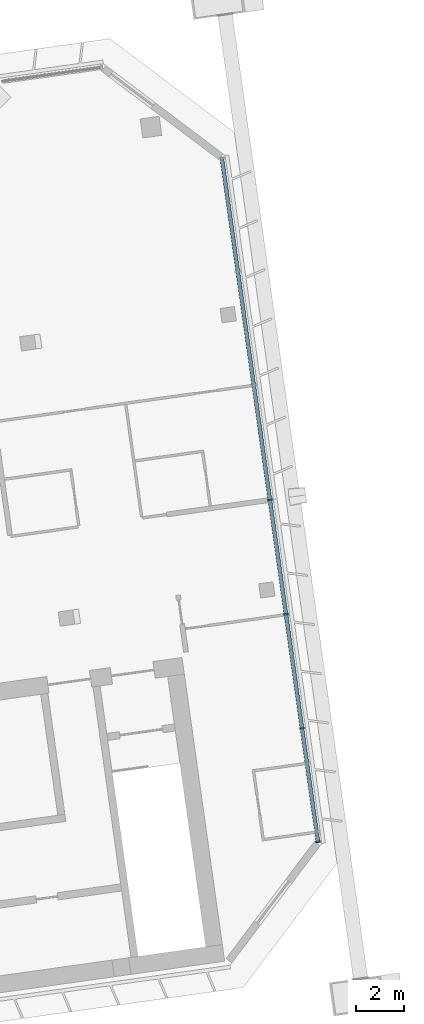
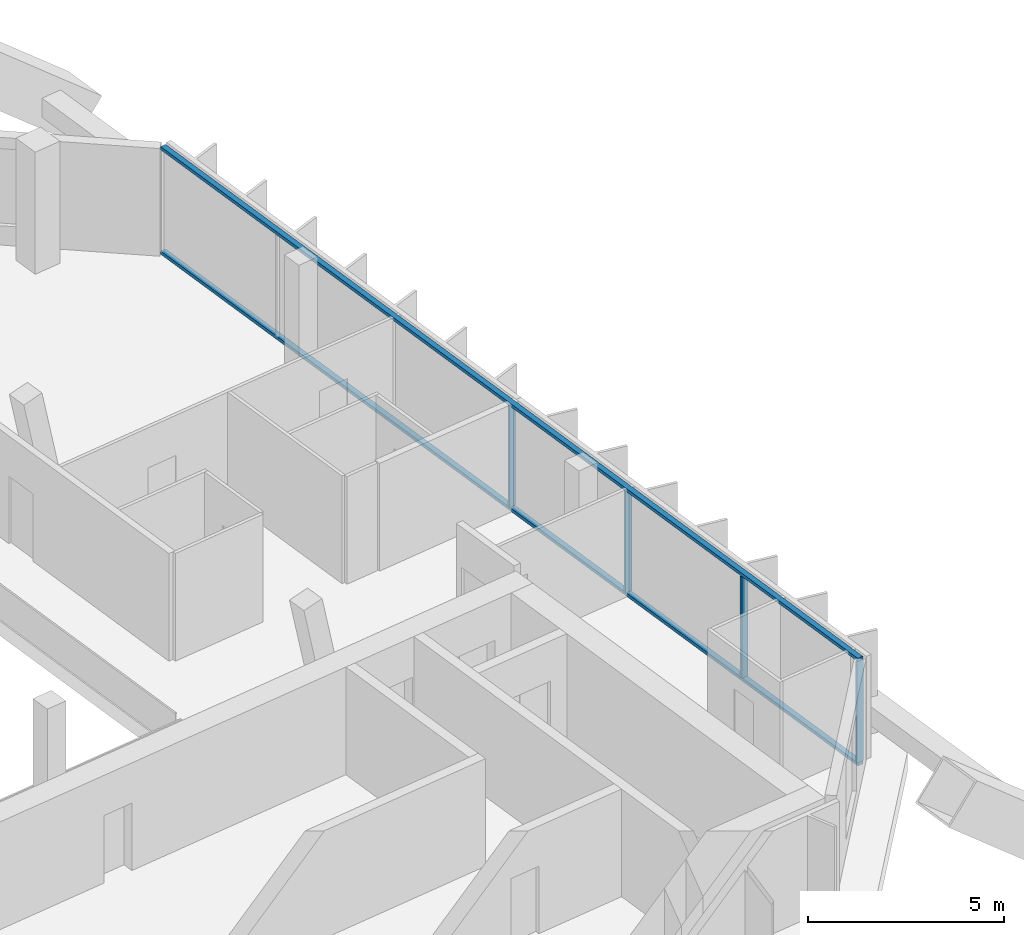
# One storey, part 11 of 32: 6 members, 1 element without a shape of its own.
"""IFC4 building model written with IfcOpenShell, lengths in metres."""

import ifcopenshell
import ifcopenshell.guid

model = None  # the IFC model being written
_history = None  # IfcOwnerHistory: only IFC2X3 demands one
_inside = {}  # id of a spatial element -> (the spatial element, [elements in it])
_under = {}  # id of a project, library or spatial element -> (it, [spatial elements below it])
_declared = {}  # id of a project -> (the project, [libraries it declares])
_typed = {}  # id of a type object -> (the type object, [elements of that type])
_made_of = {}  # id of a material, layer set ... -> (it, [elements and type objects made of it])


def new_model(schema):
    """Start an empty IFC model of exactly this schema.

    Asked for "IFC4X3", IfcOpenShell would pick the latest addendum, in which some entities
    have other attributes; the version numbers below select the first issue.
    IFC2X3 requires an IfcOwnerHistory on every rooted entity: one is made here for all.
    """
    global model, _history
    if schema == "IFC4X3":
        model = ifcopenshell.file(schema_version=(4, 3, 0, 0))
    else:
        model = ifcopenshell.file(schema=schema)
    _inside.clear()
    _under.clear()
    _declared.clear()
    _typed.clear()
    _made_of.clear()
    _history = None
    if model.schema == "IFC2X3":
        org = make("IfcOrganization", Name="unknown")
        user = make(
            "IfcPersonAndOrganization",
            ThePerson=make("IfcPerson", FamilyName="unknown"),
            TheOrganization=org,
        )
        app = make(
            "IfcApplication",
            ApplicationDeveloper=org,
            Version="unknown",
            ApplicationFullName="unknown",
            ApplicationIdentifier="unknown",
        )
        _history = make(
            "IfcOwnerHistory",
            OwningUser=user,
            OwningApplication=app,
            ChangeAction="ADDED",
            CreationDate=0,
        )
    return model


def make(cls, **values):
    """One entity of the class cls with the attributes given. An attribute that is None is left unset."""
    return model.create_entity(
        cls, **{name: value for name, value in values.items() if value is not None}
    )


def rooted(cls, **values):
    """An entity with a GlobalId (a new one), such as an element, a storey or a relation."""
    return make(cls, GlobalId=ifcopenshell.guid.new(), OwnerHistory=_history, **values)


def si_unit(unit_type, name, prefix=None):
    """IfcSIUnit, for example si_unit("LENGTHUNIT", "METRE", prefix="MILLI")."""
    return make("IfcSIUnit", UnitType=unit_type, Prefix=prefix, Name=name)


def assignment(units):
    """IfcUnitAssignment: the units of a project."""
    return None if units is None else make("IfcUnitAssignment", Units=units)


def point(xyz):
    """IfcCartesianPoint."""
    return None if xyz is None else make("IfcCartesianPoint", Coordinates=xyz)


def direction(xyz):
    """IfcDirection."""
    return None if xyz is None else make("IfcDirection", DirectionRatios=xyz)


def frame(location, z_axis=None, x_axis=None):
    """IfcAxis2Placement3D, a coordinate frame: its origin and axes. An axis left out is left unset."""
    return make(
        "IfcAxis2Placement3D",
        Location=point(location),
        Axis=direction(z_axis),
        RefDirection=direction(x_axis),
    )


def frame_2d(location, x_axis=None):
    """IfcAxis2Placement2D, a coordinate frame in the plane: its origin and x axis."""
    return make(
        "IfcAxis2Placement2D", Location=point(location), RefDirection=direction(x_axis)
    )


def origin():
    """The frame at (0, 0, 0) with its axes left unset."""
    return frame((0.0, 0.0, 0.0))


def origin_2d():
    """The frame at (0, 0) in the plane with its x axis left unset."""
    return frame_2d((0.0, 0.0))


def place(relative_to, where):
    """IfcLocalPlacement: puts the frame where relative to a parent placement (None: the world)."""
    return make(
        "IfcLocalPlacement", PlacementRelTo=relative_to, RelativePlacement=where
    )


def context(
    kind, dimensions, precision=None, world=None, true_north=None, identifier=None
):
    """IfcGeometricRepresentationContext, for example the 3D "Model" context."""
    return make(
        "IfcGeometricRepresentationContext",
        ContextIdentifier=identifier,
        ContextType=kind,
        CoordinateSpaceDimension=dimensions,
        Precision=precision,
        WorldCoordinateSystem=world,
        TrueNorth=true_north,
    )


def subcontext(parent, identifier, kind, view, scale=None):
    """IfcGeometricRepresentationSubContext, for example "Body" below "Model"."""
    return make(
        "IfcGeometricRepresentationSubContext",
        ContextIdentifier=identifier,
        ContextType=kind,
        ParentContext=parent,
        TargetScale=scale,
        TargetView=view,
    )


def project(units=None, contexts=None):
    """IfcProject with its units and contexts."""
    return rooted(
        "IfcProject",
        Name="project",
        RepresentationContexts=contexts,
        UnitsInContext=assignment(units),
    )


def spatial(cls, under=None, at=None, **own):
    """A site, building, storey or space (cls), placed at a placement, below another one or the project."""
    s = rooted(cls, ObjectPlacement=at, **own)
    if under is not None:
        _under.setdefault(under.id(), (under, []))[1].append(s)
    return s


def profile(cls, at=None, kind="AREA", **sizes):
    """A parametric profile (cls). Its sizes go by their IFC names, for example OverallWidth=200.0."""
    return make(cls, ProfileType=kind, Position=at, **sizes)


def rectangle(**sizes):
    """IfcRectangleProfileDef."""
    return profile("IfcRectangleProfileDef", **sizes)


def extrude(swept, where, along, depth):
    """IfcExtrudedAreaSolid: the profile swept, set in the frame where, extruded along a direction by depth."""
    return make(
        "IfcExtrudedAreaSolid",
        SweptArea=swept,
        Position=where,
        ExtrudedDirection=direction(along),
        Depth=depth,
    )


def shape(context_of_items, identifier, shape_type, items):
    """IfcShapeRepresentation: the items that make up one representation, for example the "Body"."""
    return make(
        "IfcShapeRepresentation",
        ContextOfItems=context_of_items,
        RepresentationIdentifier=identifier,
        RepresentationType=shape_type,
        Items=items,
    )


def material(Name=None, Category=None):
    """IfcMaterial."""
    return make("IfcMaterial", Name=Name, Category=Category)


def material_profile(
    of_material, cross_section, Name=None, Category=None, Priority=None
):
    """IfcMaterialProfile: a cross section and its material."""
    return make(
        "IfcMaterialProfile",
        Name=Name,
        Material=of_material,
        Profile=cross_section,
        Priority=Priority,
        Category=Category,
    )


def profile_set(profiles, Name=None, composite=None):
    """IfcMaterialProfileSet."""
    return make(
        "IfcMaterialProfileSet",
        Name=Name,
        MaterialProfiles=profiles,
        CompositeProfile=composite,
    )


def made_of(thing, what):
    """Note that an element or type object is made of a material, layer set ...; save() writes the relation."""
    if what is not None:
        _made_of.setdefault(what.id(), (what, []))[1].append(thing)
    return thing


def type_object(cls, material=None, **own):
    """A type object (cls), such as IfcWallType, which elements share."""
    return made_of(rooted(cls, **own), material)


def element(
    cls,
    number,
    at=None,
    inside=None,
    cuts=None,
    type_object=None,
    material=None,
    context=None,
    identifier="Body",
    shape_type=None,
    held_by="IfcProductDefinitionShape",
    body=None,
    shapes=None,
    **own,
):
    """One element of the class cls, such as IfcWall. Its Tag is "e" and its number.

    at: its placement. inside: the storey or other place that contains it. cuts: it is an
    opening in that element (IfcRelVoidsElement). A single representation is given by context,
    identifier, shape_type and body (its items); several are given by shapes. held_by: the class
    of the entity that holds the representations. save() writes the other relations.
    """
    e = rooted(cls, Tag="e%d" % number, ObjectPlacement=at, **own)
    if body is not None:
        shapes = [shape(context, identifier, shape_type, body)]
    if shapes is not None:
        e.Representation = make(held_by, Representations=shapes)
    if inside is not None:
        _inside.setdefault(inside.id(), (inside, []))[1].append(e)
    if cuts is not None:
        rooted(
            "IfcRelVoidsElement", RelatingBuildingElement=cuts, RelatedOpeningElement=e
        )
    if type_object is not None:
        _typed.setdefault(type_object.id(), (type_object, []))[1].append(e)
    return made_of(e, material)


def aggregate(whole, parts):
    """IfcRelAggregates: a whole, such as a stair, and the parts it consists of."""
    return rooted("IfcRelAggregates", RelatingObject=whole, RelatedObjects=parts)


def save(model, path):
    """Write the relations noted so far, then the file.

    IfcRelAggregates (storeys below a building ...), IfcRelContainedInSpatialStructure (elements
    in a storey), IfcRelDefinesByType, IfcRelAssociatesMaterial and IfcRelDeclares: one each for
    every whole, place, type object, material and project.
    """
    for whole, parts in _under.values():
        aggregate(whole, parts)
    for where, things in _inside.values():
        rooted(
            "IfcRelContainedInSpatialStructure",
            RelatedElements=things,
            RelatingStructure=where,
        )
    for kind, things in _typed.values():
        rooted("IfcRelDefinesByType", RelatedObjects=things, RelatingType=kind)
    for what, things in _made_of.values():
        rooted("IfcRelAssociatesMaterial", RelatedObjects=things, RelatingMaterial=what)
    for by, libraries in _declared.values():
        rooted("IfcRelDeclares", RelatingContext=by, RelatedDefinitions=libraries)
    model.write(path)


model = new_model("IFC4")

# Units and contexts
model_context = context("Model", 3, precision=1e-05, world=origin(), true_north=direction((0.0, 1.0)))
body_context = subcontext(model_context, "Body", "Model", "MODEL_VIEW")
ifc_project = project(units=[si_unit("LENGTHUNIT", "METRE"), si_unit("AREAUNIT", "SQUARE_METRE"), si_unit("VOLUMEUNIT", "CUBIC_METRE"), si_unit("PLANEANGLEUNIT", "RADIAN"), si_unit("MASSUNIT", "GRAM", prefix="KILO")], contexts=[model_context])

# Site, building, storey
site_placement = place(None, origin())
site = spatial("IfcSite", under=ifc_project, at=site_placement, CompositionType="ELEMENT")
building_placement = place(site_placement, origin())
building = spatial("IfcBuilding", under=site, at=building_placement, Name="Mirante Cascada Hotel Towers", CompositionType="ELEMENT")
storey_placement = place(building_placement, frame((0.0, 0.0, 176.4)))
storey = spatial("IfcBuildingStorey", under=building, at=storey_placement, Name="L41", CompositionType="ELEMENT", Elevation=176.4)

# Curtain wall, members
ifc_material_1 = material(Name="Aluminium mullion and transom frame with clear laminated glass", Category="aluminium")
curtain_wall_type = type_object("IfcCurtainWallType", Name="End ribbon curtain wall ECW2", PredefinedType="NOTDEFINED", material=ifc_material_1)
curtain_wall_placement = place(storey_placement, origin())
curtain_wall = element("IfcCurtainWall", 1, at=curtain_wall_placement, inside=storey, type_object=curtain_wall_type, Name="Outer end wall T2 L41", PredefinedType="NOTDEFINED")
ifc_material_2 = material(Name="Anodised aluminium extrusion", Category="aluminium")
ifc_material_profile_1 = material_profile(ifc_material_2, rectangle(XDim=0.2, YDim=0.065, at=origin_2d()), Name="ECW2 MULLION 65x200")
ifc_profile_set_1 = profile_set([ifc_material_profile_1], Name="Anodised aluminium extrusion")
member_type_1 = type_object("IfcMemberType", Name="ECW2 mullion 65x200", PredefinedType="MULLION", material=ifc_profile_set_1)
member_1_placement = place(storey_placement, frame((94.2432, -7.5181, 0.1), z_axis=(0.0, 0.0, 1.0), x_axis=(-0.9902681, -0.1391731, 0.0)))
member_1 = element("IfcMember", 2, at=member_1_placement, type_object=member_type_1, Name="ECW2 mullion 1", PredefinedType="MULLION", context=body_context, shape_type="SweptSolid", body=[
    extrude(rectangle(XDim=0.2, YDim=0.065, at=origin_2d()), origin(), (0.0, 0.0, 1.0), 3.15),
])
member_2_placement = place(storey_placement, frame((93.5779, -2.7845, 0.1), z_axis=(0.0, 0.0, 1.0), x_axis=(-0.9902681, -0.1391731, 0.0)))
member_2 = element("IfcMember", 3, at=member_2_placement, type_object=member_type_1, Name="ECW2 mullion 2", PredefinedType="MULLION", context=body_context, shape_type="SweptSolid", body=[
    extrude(rectangle(XDim=0.2, YDim=0.065, at=origin_2d()), origin(), (0.0, 0.0, 1.0), 3.15),
])
member_3_placement = place(storey_placement, frame((92.9081, 1.9812, 0.1), z_axis=(0.0, 0.0, 1.0), x_axis=(-0.9902681, -0.1391731, 0.0)))
member_3 = element("IfcMember", 4, at=member_3_placement, type_object=member_type_1, Name="ECW2 mullion 3", PredefinedType="MULLION", context=body_context, shape_type="SweptSolid", body=[
    extrude(rectangle(XDim=0.2, YDim=0.065, at=origin_2d()), origin(), (0.0, 0.0, 1.0), 3.15),
])
member_4_placement = place(storey_placement, frame((92.2383, 6.747, 0.1), z_axis=(0.0, 0.0, 1.0), x_axis=(-0.9902681, -0.1391731, 0.0)))
member_4 = element("IfcMember", 5, at=member_4_placement, type_object=member_type_1, Name="ECW2 mullion 4", PredefinedType="MULLION", context=body_context, shape_type="SweptSolid", body=[
    extrude(rectangle(XDim=0.2, YDim=0.065, at=origin_2d()), origin(), (0.0, 0.0, 1.0), 3.15),
])
ifc_material_3 = material(Name="Anodised aluminium extrusion", Category="aluminium")
ifc_material_profile_2 = material_profile(ifc_material_3, rectangle(XDim=0.16, YDim=0.1, at=origin_2d()), Name="ECW2 TRANSOM 100x160")
ifc_profile_set_2 = profile_set([ifc_material_profile_2], Name="Anodised aluminium extrusion")
member_type_2 = type_object("IfcMemberType", Name="ECW2 transom 100x160", PredefinedType="USERDEFINED", material=ifc_profile_set_2)
member_5_placement = place(storey_placement, frame((94.2477, -7.5503, 0.05), z_axis=(-0.1391723, 0.9902682, 0.0), x_axis=(-0.9902682, -0.1391723, 0.0)))
member_5 = element("IfcMember", 6, at=member_5_placement, type_object=member_type_2, Name="ECW2 sill transom", ObjectType="TRANSOM", PredefinedType="USERDEFINED", context=body_context, shape_type="SweptSolid", body=[
    extrude(rectangle(XDim=0.16, YDim=0.1, at=origin_2d()), origin(), (0.0, 0.0, 1.0), 28.8757),
])
member_6_placement = place(storey_placement, frame((94.2477, -7.5503, 3.3), z_axis=(-0.1391723, 0.9902682, 0.0), x_axis=(-0.9902682, -0.1391723, 0.0)))
member_6 = element("IfcMember", 7, at=member_6_placement, type_object=member_type_2, Name="ECW2 head transom", ObjectType="TRANSOM", PredefinedType="USERDEFINED", context=body_context, shape_type="SweptSolid", body=[
    extrude(rectangle(XDim=0.16, YDim=0.1, at=origin_2d()), origin(), (0.0, 0.0, 1.0), 28.8757),
])
aggregate(curtain_wall, [member_5, member_6, member_1, member_2, member_3, member_4])

save(model, "model.ifc")
